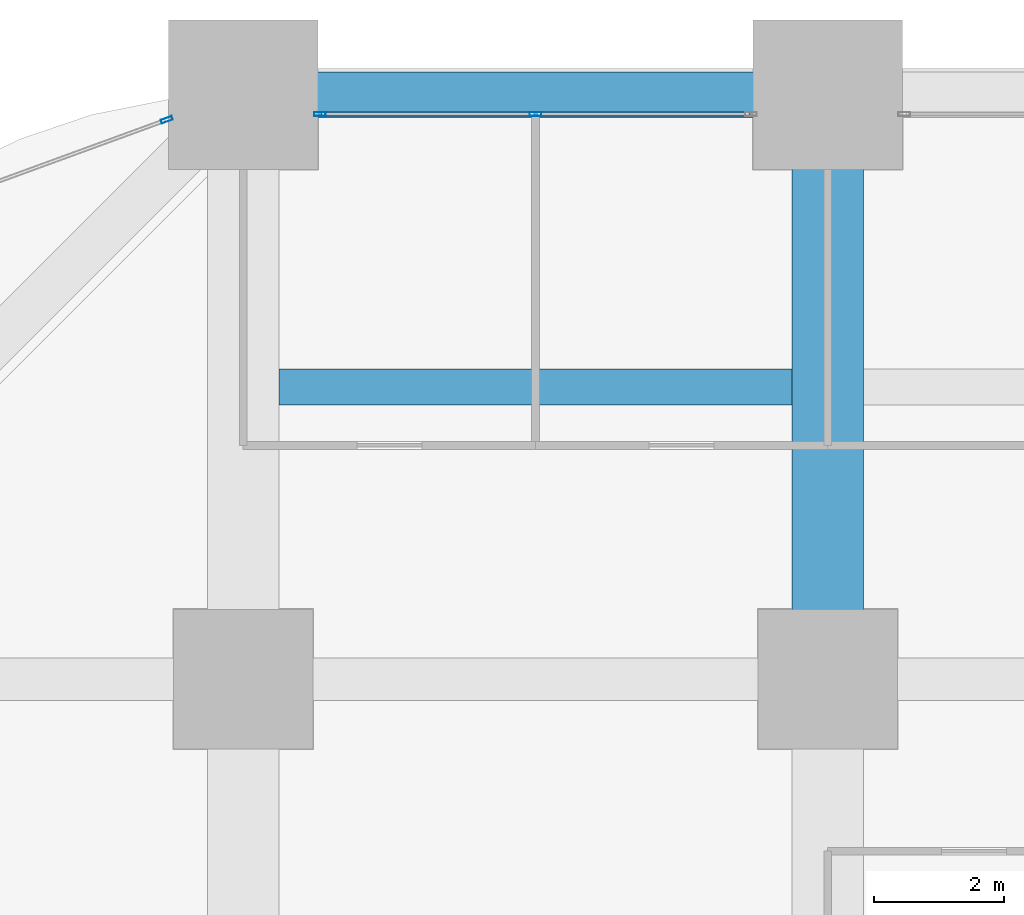
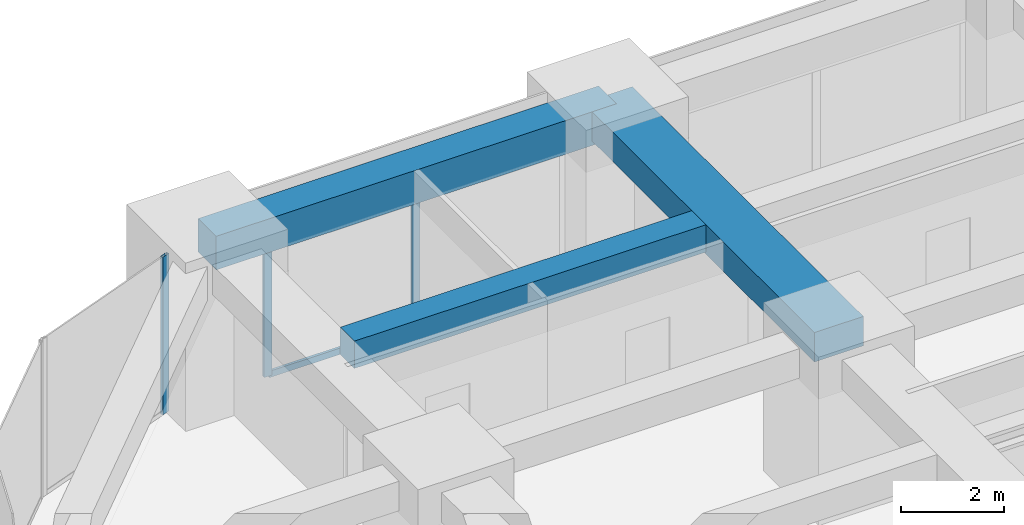
# One storey, part 28 of 44: 4 members, 3 beams, 2 elements without a shape of their own.
"""IFC4 building model written with IfcOpenShell, lengths in metres."""

from ifc_helpers import new_model, si_unit, direction, frame, origin, origin_2d, place, context, subcontext, project, spatial, rectangle, hollow_rectangle, extrude, material, material_profile, profile_set, type_object, element, aggregate, save


model = new_model("IFC4")

# Units and contexts
model_context = context("Model", 3, precision=1e-05, world=origin(), true_north=direction((0.0, 1.0)))
body_context = subcontext(model_context, "Body", "Model", "MODEL_VIEW")
ifc_project = project(units=[si_unit("LENGTHUNIT", "METRE"), si_unit("AREAUNIT", "SQUARE_METRE"), si_unit("VOLUMEUNIT", "CUBIC_METRE"), si_unit("PLANEANGLEUNIT", "RADIAN"), si_unit("MASSUNIT", "GRAM", prefix="KILO")], contexts=[model_context])

# Site, building, storey
site_placement = place(None, origin())
site = spatial("IfcSite", under=ifc_project, at=site_placement, CompositionType="ELEMENT")
building_placement = place(site_placement, origin())
building = spatial("IfcBuilding", under=site, at=building_placement, Name="Zorevar Civic Tower", CompositionType="ELEMENT")
storey_placement = place(building_placement, frame((0.0, 0.0, 55.800048828125)))
storey = spatial("IfcBuildingStorey", under=building, at=storey_placement, Name="L13", CompositionType="ELEMENT", Elevation=55.800048828125)

# Beams
ifc_material_1 = material(Name="Concrete C50/60", Category="concrete")
ifc_material_profile_1 = material_profile(ifc_material_1, rectangle(XDim=1.10009765625, YDim=0.699951171875, at=origin_2d()), Name="RC 1100x700")
ifc_profile_set_1 = profile_set([ifc_material_profile_1], Name="Concrete C50/60")
beam_type_1 = type_object("IfcBeamType", Name="Beam RC 1100x700", PredefinedType="BEAM", material=ifc_profile_set_1)
beam_1_placement = place(storey_placement, frame((18.0, 45.0, 3.39990234375), z_axis=(0.0, 1.0, 0.0), x_axis=(-1.0, 0.0, 0.0)))
element("IfcBeam", 1, at=beam_1_placement, inside=storey, type_object=beam_type_1, Name="Girder L14", PredefinedType="BEAM", context=body_context, shape_type="SweptSolid", body=[
    extrude(rectangle(XDim=1.10009765625, YDim=0.699951171875, at=origin_2d()), origin(), (0.0, 0.0, 1.0), 9.0),
])
ifc_material_2 = material(Name="Concrete C50/60", Category="concrete")
ifc_material_profile_2 = material_profile(ifc_material_2, rectangle(XDim=0.550048828125, YDim=0.64990234375, at=origin_2d()), Name="RC 550x650")
ifc_profile_set_2 = profile_set([ifc_material_profile_2], Name="Concrete C50/60")
beam_type_2 = type_object("IfcBeamType", Name="Beam RC 550x650", PredefinedType="BEAM", material=ifc_profile_set_2)
beam_2_placement = place(storey_placement, frame((9.550048828125, 49.5, 3.425048828125), z_axis=(1.0, 0.0, 0.0), x_axis=(0.0, 1.0, 0.0)))
element("IfcBeam", 2, at=beam_2_placement, inside=storey, type_object=beam_type_2, Name="Secondary beam L14", PredefinedType="BEAM", context=body_context, shape_type="SweptSolid", body=[
    extrude(rectangle(XDim=0.550048828125, YDim=0.64990234375, at=origin_2d()), origin(), (0.0, 0.0, 1.0), 7.89990234375),
])

# Curtain wall, members
ifc_material_3 = material(Name="Dark grey solar-control glass in black aluminium frame", Category="aluminium")
curtain_wall_type = type_object("IfcCurtainWallType", Name="Curtain wall CW2 low zone", PredefinedType="NOTDEFINED", material=ifc_material_3)
curtain_wall_1_placement = place(storey_placement, origin())
curtain_wall_1 = element("IfcCurtainWall", 3, at=curtain_wall_1_placement, inside=storey, type_object=curtain_wall_type, Name="CW2 L13", PredefinedType="NOTDEFINED")
ifc_material_4 = material(Name="Aluminium, black anodised", Category="aluminium")
ifc_material_profile_3 = material_profile(ifc_material_4, hollow_rectangle(XDim=0.06005859375, YDim=0.179931640625, WallThickness=0.00390625, at=origin_2d()), Name="AL 180x60x4")
ifc_profile_set_3 = profile_set([ifc_material_profile_3], Name="Aluminium, black anodised")
member_type_1 = type_object("IfcMemberType", Name="CW2 mullion AL 180x60x4", PredefinedType="MULLION", material=ifc_profile_set_3)
member_1_placement = place(storey_placement, frame((10.179931640625, 53.699951171875, 0.0), z_axis=(0.0, 0.0, 1.0), x_axis=(0.0, 1.0, 0.0)))
member_1 = element("IfcMember", 4, at=member_1_placement, type_object=member_type_1, Name="CW2 mullion 1", PredefinedType="MULLION", context=body_context, shape_type="SweptSolid", body=[
    extrude(hollow_rectangle(XDim=0.06005859375, YDim=0.179931640625, WallThickness=0.00390625, at=origin_2d()), origin(), (0.0, 0.0, 1.0), 2.949951171875),
])
member_2_placement = place(storey_placement, frame((13.5, 53.699951171875, 0.06005859375), z_axis=(0.0, 0.0, 1.0), x_axis=(0.0, 1.0, 0.0)))
member_2 = element("IfcMember", 5, at=member_2_placement, type_object=member_type_1, Name="CW2 mullion 2", PredefinedType="MULLION", context=body_context, shape_type="SweptSolid", body=[
    extrude(hollow_rectangle(XDim=0.06005859375, YDim=0.179931640625, WallThickness=0.00390625, at=origin_2d()), origin(), (0.0, 0.0, 1.0), 2.889892578125),
])

# Curtain wall, member
curtain_wall_2_placement = place(storey_placement, origin())
curtain_wall_2 = element("IfcCurtainWall", 6, at=curtain_wall_2_placement, inside=storey, type_object=curtain_wall_type, Name="CW2 L13", PredefinedType="NOTDEFINED")
member_3_placement = place(storey_placement, frame((7.82177734375, 53.61328125, 0.0), z_axis=(0.0, 0.0, 1.0), x_axis=(0.343060400701, -0.939313345732, 0.0)))
member_3 = element("IfcMember", 7, at=member_3_placement, type_object=member_type_1, Name="CW2 mullion 1", PredefinedType="MULLION", context=body_context, shape_type="SweptSolid", body=[
    extrude(hollow_rectangle(XDim=0.06005859375, YDim=0.179931640625, WallThickness=0.00390625, at=origin_2d()), origin(), (0.0, 0.0, 1.0), 3.75),
])
aggregate(curtain_wall_2, [member_3])

# Member
ifc_material_5 = material(Name="Aluminium, black anodised", Category="aluminium")
ifc_material_profile_4 = material_profile(ifc_material_5, hollow_rectangle(XDim=0.06005859375, YDim=0.14990234375, WallThickness=0.00390625, at=origin_2d()), Name="AL 150x60x4")
ifc_profile_set_4 = profile_set([ifc_material_profile_4], Name="Aluminium, black anodised")
member_type_2 = type_object("IfcMemberType", Name="CW2 transom AL 150x60x4", PredefinedType="USERDEFINED", material=ifc_profile_set_4)
member_4_placement = place(storey_placement, frame((10.2099609375, 53.699951171875, 0.030029296875), z_axis=(1.0, 0.0, 0.0), x_axis=(0.0, 1.0, 0.0)))
member_4 = element("IfcMember", 8, at=member_4_placement, type_object=member_type_2, Name="CW2 sill transom", ObjectType="TRANSOM", PredefinedType="USERDEFINED", context=body_context, shape_type="SweptSolid", body=[
    extrude(hollow_rectangle(XDim=0.06005859375, YDim=0.14990234375, WallThickness=0.00390625, at=origin_2d()), origin(), (0.0, 0.0, 1.0), 6.580078125),
])

aggregate(curtain_wall_1, [member_1, member_2, member_4])

# Beam
ifc_material_6 = material(Name="Concrete C50/60", Category="concrete")
ifc_material_profile_5 = material_profile(ifc_material_6, rectangle(XDim=0.699951171875, YDim=0.800048828125, at=origin_2d()), Name="RC 700x800")
ifc_profile_set_5 = profile_set([ifc_material_profile_5], Name="Concrete C50/60")
beam_type_3 = type_object("IfcBeamType", Name="Edge beam RC 700x800", PredefinedType="SPANDREL", material=ifc_profile_set_5)
beam_3_placement = place(storey_placement, frame((9.0, 54.0, 3.349853515625), z_axis=(1.0, 0.0, 0.0), x_axis=(0.0, 1.0, 0.0)))
element("IfcBeam", 9, at=beam_3_placement, inside=storey, type_object=beam_type_3, Name="Edge beam L14", PredefinedType="SPANDREL", context=body_context, shape_type="SweptSolid", body=[
    extrude(rectangle(XDim=0.699951171875, YDim=0.800048828125, at=origin_2d()), origin(), (0.0, 0.0, 1.0), 9.0),
])

save(model, "model.ifc")
